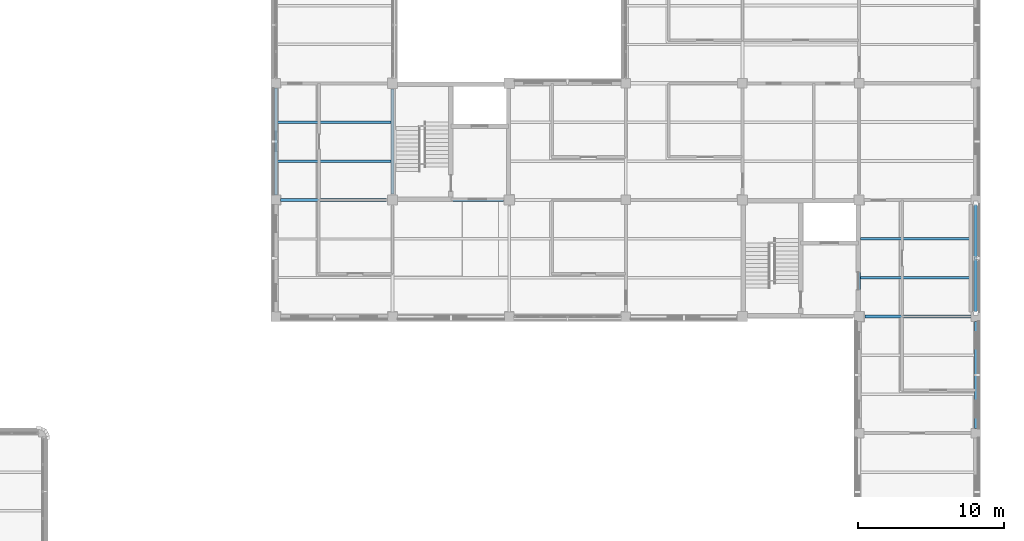
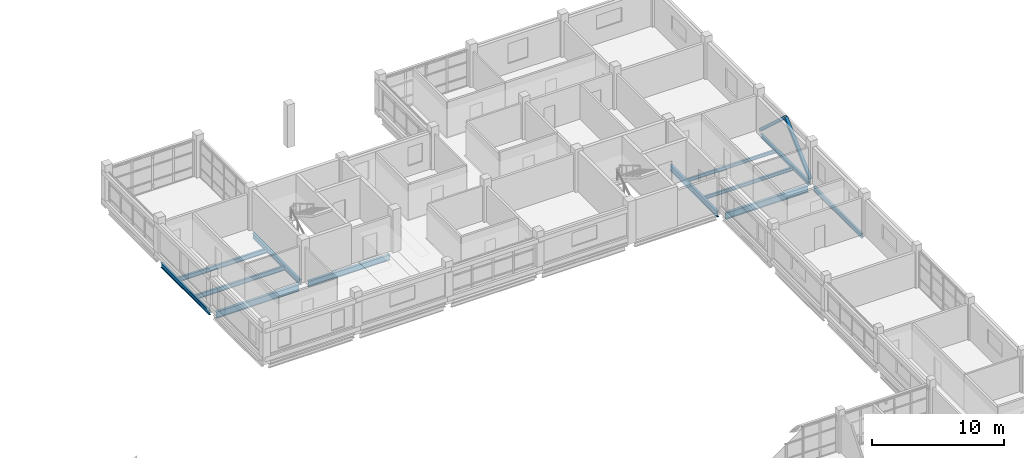
# One storey, part 51 of 107: 12 beams, 2 members.
"""IFC4 building model written with IfcOpenShell, lengths in metres."""

from ifc_helpers import new_model, si_unit, derived_unit, direction, frame, origin, origin_2d, place, context, subcontext, project, spatial, hollow_rectangle, i_section, extrude, material, material_profile, profile_set, type_object, element, save


model = new_model("IFC4")

# Units and contexts
model_context = context("Model", 3, precision=1e-05, world=origin(), true_north=direction((0.0, 1.0)))
body_context = subcontext(model_context, "Body", "Model", "MODEL_VIEW")
ifc_project = project(units=[si_unit("LENGTHUNIT", "METRE"), si_unit("AREAUNIT", "SQUARE_METRE"), si_unit("VOLUMEUNIT", "CUBIC_METRE"), si_unit("PLANEANGLEUNIT", "RADIAN"), si_unit("MASSUNIT", "GRAM", prefix="KILO"), derived_unit("THERMALTRANSMITTANCEUNIT", [(si_unit("MASSUNIT", "GRAM", prefix="KILO"), 1), (si_unit("TIMEUNIT", "SECOND"), -3), (si_unit("THERMODYNAMICTEMPERATUREUNIT", "KELVIN"), -1)])], contexts=[model_context])

# Site, building, storey
site_placement = place(None, origin())
site = spatial("IfcSite", under=ifc_project, at=site_placement, CompositionType="ELEMENT")
building_placement = place(site_placement, origin())
building = spatial("IfcBuilding", under=site, at=building_placement, Name="Veyamyaing Civic Hall", CompositionType="ELEMENT")
storey_placement = place(building_placement, frame((0.0, 0.0, 13.860107421875)))
storey = spatial("IfcBuildingStorey", under=building, at=storey_placement, Name="L03", CompositionType="ELEMENT", Elevation=13.860107421875)

# Beams
ifc_material_1 = material(Name="Steel ASTM A992", Category="steel")
ifc_material_profile_1 = material_profile(ifc_material_1, i_section(OverallWidth=0.22802734375, OverallDepth=0.60791015625, WebThickness=0.01123046875, FlangeThickness=0.017333984375, FilletRadius=0.012939453125, at=origin_2d()), Name="W610X113")
ifc_profile_set_1 = profile_set([ifc_material_profile_1], Name="Steel ASTM A992")
beam_type_1 = type_object("IfcBeamType", Name="B-06", PredefinedType="BEAM", material=ifc_profile_set_1)
for number, where, z_axis, x_axis, name in (
    (1, (168.39990234375, 88.0, -0.55908203125), (1.0, 0.0, 0.0), (0.0, 1.0, 0.0), "Girder B-06 L03 Grid M 22-23"),
    (2, (128.324951171875, 96.0, -0.55908203125), (1.0, 0.0, 0.0), (0.0, 1.0, 0.0), "Girder B-06 L03 Grid N 17-18"),
):
    element("IfcBeam", number, at=place(storey_placement, frame(where, z_axis=z_axis, x_axis=x_axis)), inside=storey, type_object=beam_type_1, Name=name, PredefinedType="BEAM", context=body_context, shape_type="SweptSolid", body=[
        extrude(i_section(OverallWidth=0.22802734375, OverallDepth=0.60791015625, WebThickness=0.01123046875, FlangeThickness=0.017333984375, FilletRadius=0.012939453125, at=origin_2d()), origin(), (0.0, 0.0, 1.0), 7.275146484375),
    ])
ifc_material_profile_2 = material_profile(ifc_material_1, i_section(OverallWidth=0.208984375, OverallDepth=0.532958984375, WebThickness=0.01025390625, FlangeThickness=0.015625, FilletRadius=0.011962890625, at=origin_2d()), Name="W530X92")
ifc_profile_set_2 = profile_set([ifc_material_profile_2], Name="Steel ASTM A992")
beam_type_2 = type_object("IfcBeamType", Name="B-07", PredefinedType="BEAM", material=ifc_profile_set_2)
for number, where, z_axis, x_axis, name in (
    (3, (136.39990234375, 96.0, -0.521728515625), (1.0, 0.0, 0.0), (0.0, 1.0, 0.0), "Girder B-07 L03 Grid N 18-19"),
    (4, (168.0, 88.39990234375, -0.521728515625), (0.0, 1.0, 0.0), (-1.0, 0.0, 0.0), "Girder B-07 L03 Grid 22 M-N"),
):
    element("IfcBeam", number, at=place(storey_placement, frame(where, z_axis=z_axis, x_axis=x_axis)), inside=storey, type_object=beam_type_2, Name=name, PredefinedType="BEAM", context=body_context, shape_type="SweptSolid", body=[
        extrude(i_section(OverallWidth=0.208984375, OverallDepth=0.532958984375, WebThickness=0.01025390625, FlangeThickness=0.015625, FilletRadius=0.011962890625, at=origin_2d()), origin(), (0.0, 0.0, 1.0), 7.2001953125),
    ])
ifc_material_profile_3 = material_profile(ifc_material_1, i_section(OverallWidth=0.19189453125, OverallDepth=0.462890625, WebThickness=0.010498046875, FlangeThickness=0.017578125, FilletRadius=0.010009765625, at=origin_2d()), Name="W460X89")
ifc_profile_set_3 = profile_set([ifc_material_profile_3], Name="Steel ASTM A992")
beam_type_3 = type_object("IfcBeamType", Name="B-08", PredefinedType="BEAM", material=ifc_profile_set_3)
beam_1_placement = place(storey_placement, frame((136.0, 96.39990234375, -0.486572265625), z_axis=(0.0, 1.0, 0.0), x_axis=(-1.0, 0.0, 0.0)))
element("IfcBeam", 5, at=beam_1_placement, inside=storey, type_object=beam_type_3, Name="Girder B-08 L03 Grid 18 N-P", PredefinedType="BEAM", context=body_context, shape_type="SweptSolid", body=[
    extrude(i_section(OverallWidth=0.19189453125, OverallDepth=0.462890625, WebThickness=0.010498046875, FlangeThickness=0.017578125, FilletRadius=0.010009765625, at=origin_2d()), origin(), (0.0, 0.0, 1.0), 7.2001953125),
])
ifc_material_profile_4 = material_profile(ifc_material_1, i_section(OverallWidth=0.179931640625, OverallDepth=0.4130859375, WebThickness=0.009765625, FlangeThickness=0.01611328125, FilletRadius=0.010009765625, at=origin_2d()), Name="W410X74")
ifc_profile_set_4 = profile_set([ifc_material_profile_4], Name="Steel ASTM A992")
beam_type_4 = type_object("IfcBeamType", Name="B-10", PredefinedType="SPANDREL", material=ifc_profile_set_4)
for number, where, z_axis, x_axis, name in (
    (6, (128.0, 96.324951171875, -0.461669921875), (0.0, 1.0, 0.0), (-1.0, 0.0, 0.0), "Girder B-10 L03 Grid 17 N-P"),
    (7, (176.0, 80.324951171875, -0.461669921875), (0.0, 1.0, 0.0), (-1.0, 0.0, 0.0), "Girder B-10 L03 Grid 23 L-M"),
):
    element("IfcBeam", number, at=place(storey_placement, frame(where, z_axis=z_axis, x_axis=x_axis)), inside=storey, type_object=beam_type_4, Name=name, PredefinedType="SPANDREL", context=body_context, shape_type="SweptSolid", body=[
        extrude(i_section(OverallWidth=0.179931640625, OverallDepth=0.4130859375, WebThickness=0.009765625, FlangeThickness=0.01611328125, FilletRadius=0.010009765625, at=origin_2d()), origin(), (0.0, 0.0, 1.0), 7.35009765625),
    ])
ifc_material_profile_5 = material_profile(ifc_material_1, i_section(OverallWidth=0.2041015625, OverallDepth=0.35009765625, WebThickness=0.0078125, FlangeThickness=0.01513671875, FilletRadius=0.010009765625, at=origin_2d()), Name="W360X72")
ifc_profile_set_5 = profile_set([ifc_material_profile_5], Name="Steel ASTM A992")
beam_type_5 = type_object("IfcBeamType", Name="B-11", PredefinedType="SPANDREL", material=ifc_profile_set_5)
beam_2_placement = place(storey_placement, frame((176.0, 88.324951171875, -0.43017578125), z_axis=(0.0, 1.0, 0.0), x_axis=(-1.0, 0.0, 0.0)))
element("IfcBeam", 8, at=beam_2_placement, inside=storey, type_object=beam_type_5, Name="Girder B-11 L03 Grid 23 M-N", PredefinedType="SPANDREL", context=body_context, shape_type="SweptSolid", body=[
    extrude(i_section(OverallWidth=0.2041015625, OverallDepth=0.35009765625, WebThickness=0.0078125, FlangeThickness=0.01513671875, FilletRadius=0.010009765625, at=origin_2d()), origin(), (0.0, 0.0, 1.0), 7.35009765625),
])

# Members
ifc_material_2 = material(Name="Steel S355J2", Category="steel")
ifc_material_profile_6 = material_profile(ifc_material_2, hollow_rectangle(XDim=0.25390625, YDim=0.25390625, WallThickness=0.0126953125, at=origin_2d()), Name="HSS254X254X12.7")
ifc_profile_set_6 = profile_set([ifc_material_profile_6], Name="Steel S355J2")
member_type = type_object("IfcMemberType", Name="BR-01", PredefinedType="BRACE", material=ifc_profile_set_6)
for number, where, z_axis, x_axis, name in (
    (9, (176.0, 88.219970703125, 0.0498046875), (0.0, 0.73762264058, 0.675213181227), (-1.0, 0.0, 0.0), "Seismic chevron brace BR-01 BF-NE L03.L"),
    (10, (176.0, 95.780029296875, 0.0498046875), (0.0, -0.73762264058, 0.675213181227), (1.0, 0.0, 0.0), "Seismic chevron brace BR-01 BF-NE L03.R"),
):
    element("IfcMember", number, at=place(storey_placement, frame(where, z_axis=z_axis, x_axis=x_axis)), inside=storey, type_object=member_type, Name=name, PredefinedType="BRACE", context=body_context, shape_type="SweptSolid", body=[
        extrude(hollow_rectangle(XDim=0.25390625, YDim=0.25390625, WallThickness=0.0126953125, at=origin_2d()), origin(), (0.0, 0.0, 1.0), 5.12451171875),
    ])

# Beams
ifc_material_profile_7 = material_profile(ifc_material_1, i_section(OverallWidth=0.177978515625, OverallDepth=0.406982421875, WebThickness=0.0078125, FlangeThickness=0.0126953125, FilletRadius=0.010009765625, at=origin_2d()), Name="W410X60")
ifc_profile_set_7 = profile_set([ifc_material_profile_7], Name="Steel ASTM A992")
beam_type_6 = type_object("IfcBeamType", Name="J-01", PredefinedType="JOIST", material=ifc_profile_set_7)
for number, where, z_axis, x_axis, name in (
    (11, (128.087890625, 98.666748046875, -0.45849609375), (1.0, 0.0, 0.0), (0.0, 1.0, 0.0), "Composite floor joist J-01 L03 17.13.1"),
    (12, (128.087890625, 101.333251953125, -0.45849609375), (1.0, 0.0, 0.0), (0.0, 1.0, 0.0), "Composite floor joist J-01 L03 17.13.2"),
):
    element("IfcBeam", number, at=place(storey_placement, frame(where, z_axis=z_axis, x_axis=x_axis)), inside=storey, type_object=beam_type_6, Name=name, PredefinedType="JOIST", context=body_context, shape_type="SweptSolid", body=[
        extrude(i_section(OverallWidth=0.177978515625, OverallDepth=0.406982421875, WebThickness=0.0078125, FlangeThickness=0.0126953125, FilletRadius=0.010009765625, at=origin_2d()), origin(), (0.0, 0.0, 1.0), 7.818115234375),
    ])
ifc_material_profile_8 = material_profile(ifc_material_1, i_section(OverallWidth=0.1650390625, OverallDepth=0.31005859375, WebThickness=0.005859375, FlangeThickness=0.009765625, FilletRadius=0.010009765625, at=origin_2d()), Name="W310X39")
ifc_profile_set_8 = profile_set([ifc_material_profile_8], Name="Steel ASTM A992")
beam_type_7 = type_object("IfcBeamType", Name="J-05", PredefinedType="JOIST", material=ifc_profile_set_8)
for number, where, z_axis, x_axis, name in (
    (13, (168.1025390625, 90.666748046875, -0.41015625), (1.0, 0.0, 0.0), (0.0, 1.0, 0.0), "Composite floor joist J-05 L03 22.12.1"),
    (14, (168.1025390625, 93.333251953125, -0.41015625), (1.0, 0.0, 0.0), (0.0, 1.0, 0.0), "Composite floor joist J-05 L03 22.12.2"),
):
    element("IfcBeam", number, at=place(storey_placement, frame(where, z_axis=z_axis, x_axis=x_axis)), inside=storey, type_object=beam_type_7, Name=name, PredefinedType="JOIST", context=body_context, shape_type="SweptSolid", body=[
        extrude(i_section(OverallWidth=0.1650390625, OverallDepth=0.31005859375, WebThickness=0.005859375, FlangeThickness=0.009765625, FilletRadius=0.010009765625, at=origin_2d()), origin(), (0.0, 0.0, 1.0), 7.79736328125),
    ])

save(model, "model.ifc")
